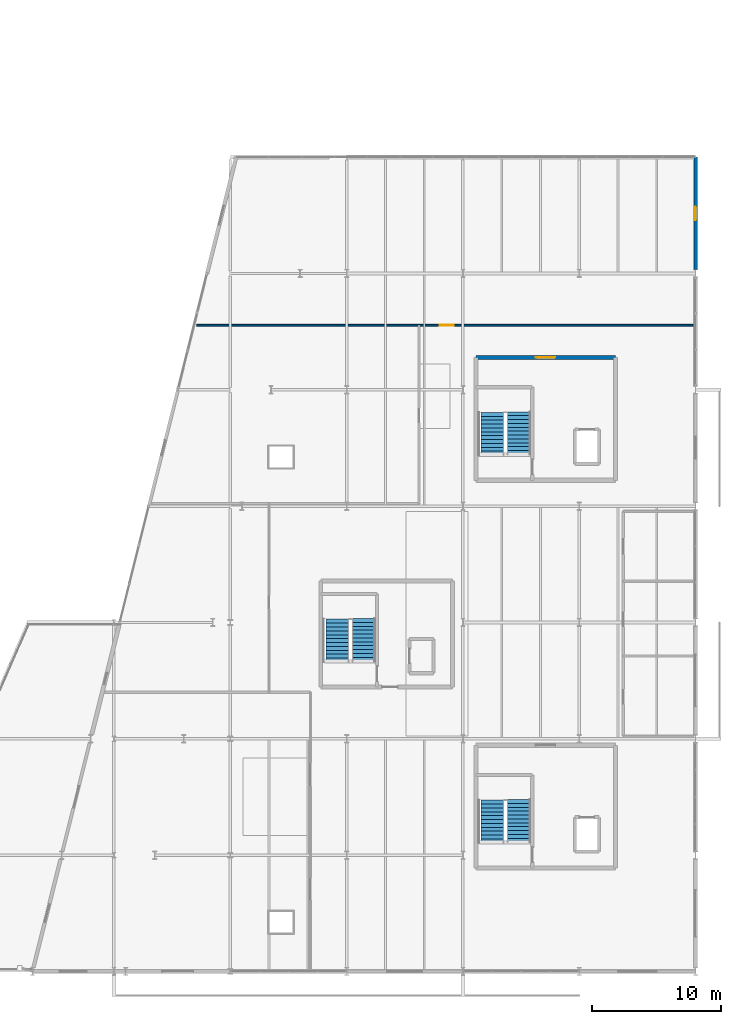
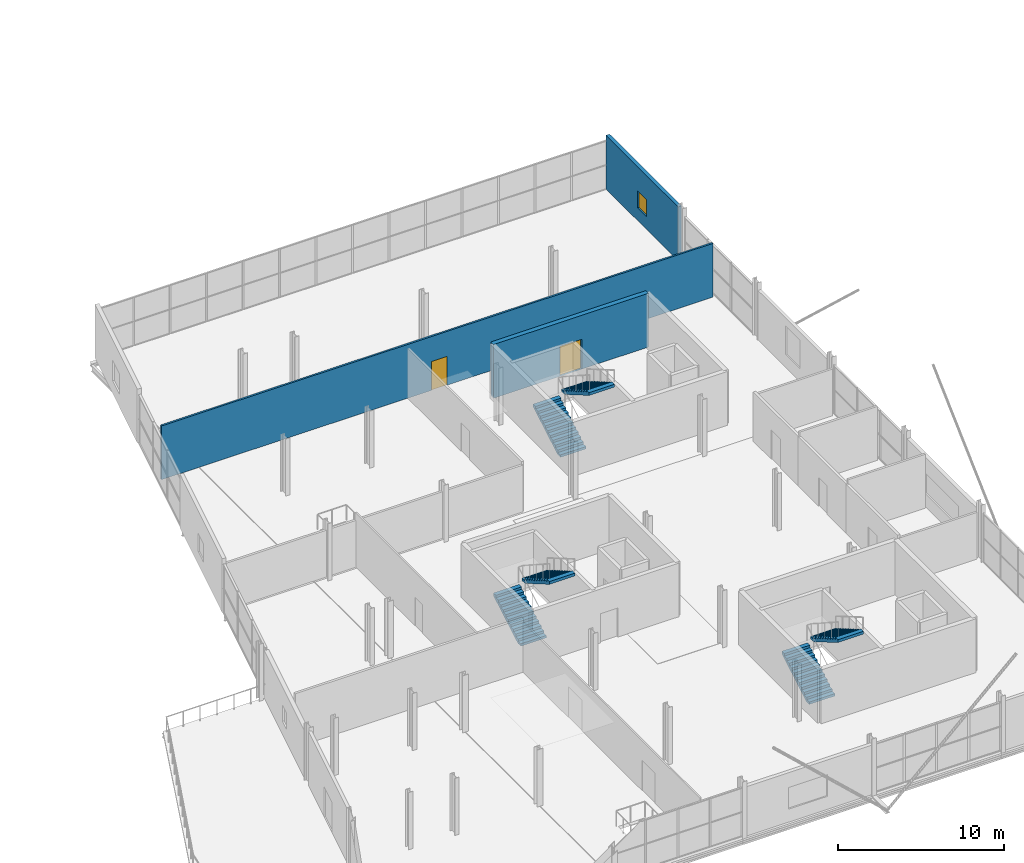
# One storey, part 57 of 59: 6 stair flights, 3 walls, 2 doors, 1 window, 3 openings, 3 elements without a shape of their own.
"""IFC4 building model written with IfcOpenShell, lengths in metres."""

from ifc_helpers import new_model, si_unit, direction, frame, frame_2d, origin, place, context, subcontext, project, spatial, polyline, rectangle, outline, extrude, material, layer, layer_set, type_object, element, fill, aggregate, save


model = new_model("IFC4")

# Units and contexts
model_context = context("Model", 3, precision=1e-05, world=origin(), true_north=direction((0.0, 1.0)))
body_context = subcontext(model_context, "Body", "Model", "MODEL_VIEW")
ifc_project = project(units=[si_unit("LENGTHUNIT", "METRE"), si_unit("AREAUNIT", "SQUARE_METRE"), si_unit("VOLUMEUNIT", "CUBIC_METRE"), si_unit("PLANEANGLEUNIT", "RADIAN"), si_unit("MASSUNIT", "GRAM", prefix="KILO")], contexts=[model_context])

# Site, building, storey
site_placement = place(None, origin())
site = spatial("IfcSite", under=ifc_project, at=site_placement, CompositionType="ELEMENT")
building_placement = place(site_placement, origin())
building = spatial("IfcBuilding", under=site, at=building_placement, Name="Deido Ridge Mobility Hub", CompositionType="ELEMENT")
storey_placement = place(building_placement, frame((0.0, 0.0, 21.0)))
storey = spatial("IfcBuildingStorey", under=building, at=storey_placement, Name="L05", CompositionType="ELEMENT", Elevation=21.0)

# Wall, opening, window
ifc_material_1 = material(Name="Concrete blockwork masonry", Category="masonry")
ifc_layer_1 = layer(ifc_material_1, 0.2548828125, Name="Concrete blockwork masonry")
ifc_layer_set_1 = layer_set([ifc_layer_1], Name="Concrete blockwork masonry")
wall_type_1 = type_object("IfcWallType", Name="WL-PLG-BLK-255", PredefinedType="POLYGONAL", material=ifc_layer_set_1)
wall_1_placement = place(storey_placement, frame((180.0, 54.300048828125, 0.0), z_axis=(0.0, 0.0, 1.0), x_axis=(0.0, 1.0, 0.0)))
wall_1 = element("IfcWall", 1, at=wall_1_placement, inside=storey, type_object=wall_type_1, Name="Exterior wall PGW2", PredefinedType="POLYGONAL", context=body_context, shape_type="SweptSolid", body=[
    extrude(rectangle(XDim=8.699951171875, YDim=0.2548828125, at=frame_2d((4.35009765625, 0.0))), origin(), (0.0, 0.0, 1.0), 3.9599609375),
])
opening_1_placement = place(wall_1_placement, frame((3.824951171875, 0.0, 0.949951171875)))
opening_1 = element("IfcOpeningElement", 2, at=opening_1_placement, cuts=wall_1, Name="Opening W2", PredefinedType="OPENING", context=body_context, shape_type="SweptSolid", body=[
    extrude(rectangle(XDim=1.050048828125, YDim=1.25, at=frame_2d((0.52490234375, 0.625))), frame((0.0, 0.137451171875, 0.0), z_axis=(0.0, -1.0, 0.0), x_axis=(1.0, 0.0, 0.0)), (0.0, 0.0, 1.0), 0.27490234375),
])
ifc_material_2 = material(Name="Laminated solar-control low-E glass", Category="glass")
window_type = type_object("IfcWindowType", Name="WN-ALU-1050X1250", PartitioningType="SINGLE_PANEL", PredefinedType="WINDOW", material=ifc_material_2)
window_placement = place(opening_1_placement, origin())
window = element("IfcWindow", 3, at=window_placement, inside=storey, type_object=window_type, Name="Exterior window W2", OverallHeight=1.25, OverallWidth=1.050048828125, PartitioningType="SINGLE_PANEL", PredefinedType="WINDOW", context=body_context, shape_type="SweptSolid", body=[
    extrude(rectangle(XDim=1.050048828125, YDim=1.25, at=frame_2d((0.52490234375, 0.625))), frame((0.0, 0.030029296875, 0.0), z_axis=(0.0, -1.0, 0.0), x_axis=(1.0, 0.0, 0.0)), (0.0, 0.0, 1.0), 0.06005859375),
])
fill(opening_1, window)

# Wall, opening, door
ifc_layer_2 = layer(ifc_material_1, 0.1298828125, Name="Concrete blockwork masonry")
ifc_layer_set_2 = layer_set([ifc_layer_2], Name="Concrete blockwork masonry")
wall_type_2 = type_object("IfcWallType", Name="WL-PRT-BLK-130", PredefinedType="PARTITIONING", material=ifc_layer_set_2)
wall_2_placement = place(storey_placement, frame((141.39990234375, 50.0, 0.0), z_axis=(0.0, 0.0, 1.0), x_axis=(1.0, 0.0, 0.0)))
wall_2 = element("IfcWall", 4, at=wall_2_placement, inside=storey, type_object=wall_type_2, Name="V6 north hall divider (L05)", PredefinedType="PARTITIONING", context=body_context, shape_type="SweptSolid", body=[
    extrude(rectangle(XDim=38.400146484375, YDim=0.1298828125, at=frame_2d((19.2001953125, 0.0))), origin(), (0.0, 0.0, 1.0), 3.9599609375),
])
opening_2_placement = place(wall_2_placement, frame((18.800048828125, 0.0, 0.0)))
opening_2 = element("IfcOpeningElement", 5, at=opening_2_placement, cuts=wall_2, Name="Opening DR-L05-188", PredefinedType="OPENING", context=body_context, shape_type="SweptSolid", body=[
    extrude(rectangle(XDim=1.080078125, YDim=2.1201171875, at=frame_2d((0.5400390625, 1.06005859375))), frame((0.0, 0.074951171875, 0.0), z_axis=(0.0, -1.0, 0.0), x_axis=(1.0, 0.0, 0.0)), (0.0, 0.0, 1.0), 0.14990234375),
])
ifc_material_3 = material(Name="Treated tropical hardwood timber D40", Category="wood")
door_type_1 = type_object("IfcDoorType", Name="DR-INT-1080X2120", OperationType="NOTDEFINED", PredefinedType="DOOR", material=ifc_material_3)
door_1_placement = place(opening_2_placement, origin())
door_1 = element("IfcDoor", 6, at=door_1_placement, inside=storey, type_object=door_type_1, Name="DR-I0188 V6 north hall door (L05)", OperationType="SINGLE_SWING_RIGHT", OverallHeight=2.1201171875, OverallWidth=1.080078125, PredefinedType="DOOR", context=body_context, shape_type="SweptSolid", body=[
    extrude(rectangle(XDim=1.080078125, YDim=2.1201171875, at=frame_2d((0.5400390625, 1.06005859375))), frame((0.0, 0.02490234375, 0.0), z_axis=(0.0, -1.0, 0.0), x_axis=(1.0, 0.0, 0.0)), (0.0, 0.0, 1.0), 0.050048828125),
])
fill(opening_2, door_1)

ifc_material_4 = material(Name="Concrete C40/50", Category="concrete")
ifc_layer_3 = layer(ifc_material_4, 0.324951171875, Name="Concrete C40/50")
ifc_layer_set_3 = layer_set([ifc_layer_3], Name="Concrete C40/50")
wall_type_3 = type_object("IfcWallType", Name="WL-SHR-RC-325", PredefinedType="SHEAR", material=ifc_layer_set_3)
wall_3_placement = place(storey_placement, frame((173.800048828125, 47.5, 0.0), z_axis=(0.0, 0.0, 1.0), x_axis=(-1.0, 0.0, 0.0)))
wall_3 = element("IfcWall", 7, at=wall_3_placement, inside=storey, type_object=wall_type_3, Name="C2 north shear wall", PredefinedType="SHEAR", context=body_context, shape_type="SweptSolid", body=[
    extrude(rectangle(XDim=10.800048828125, YDim=0.324951171875, at=frame_2d((5.39990234375, 0.0))), origin(), (0.0, 0.0, 1.0), 3.9599609375),
])
opening_3_placement = place(wall_3_placement, frame((4.64990234375, 0.0, 0.0)))
opening_3 = element("IfcOpeningElement", 8, at=opening_3_placement, cuts=wall_3, Name="Opening LD-C2-044", PredefinedType="OPENING", context=body_context, shape_type="SweptSolid", body=[
    extrude(rectangle(XDim=1.5, YDim=2.199951171875, at=frame_2d((0.75, 1.10009765625))), frame((0.0, 0.17236328125, 0.0), z_axis=(0.0, -1.0, 0.0), x_axis=(1.0, 0.0, 0.0)), (0.0, 0.0, 1.0), 0.344970703125),
])
ifc_material_5 = material(Name="Galvanised steel work", Category="steel")
door_type_2 = type_object("IfcDoorType", Name="DR-FD60-1500X2200", OperationType="DOUBLE_DOOR_SINGLE_SWING", PredefinedType="DOOR", material=ifc_material_5)
door_2_placement = place(opening_3_placement, origin())
door_2 = element("IfcDoor", 9, at=door_2_placement, inside=storey, type_object=door_type_2, Name="DR-I0044 C2 firefighting lobby door (L05)", OperationType="DOUBLE_DOOR_SINGLE_SWING", OverallHeight=2.199951171875, OverallWidth=1.5, PredefinedType="DOOR", context=body_context, shape_type="SweptSolid", body=[
    extrude(rectangle(XDim=1.5, YDim=2.199951171875, at=frame_2d((0.75, 1.10009765625))), frame((0.0, 0.02490234375, 0.0), z_axis=(0.0, -1.0, 0.0), x_axis=(1.0, 0.0, 0.0)), (0.0, 0.0, 1.0), 0.050048828125),
])
fill(opening_3, door_2)

# Stair, stair flights
ifc_material_6 = material(Name="Concrete C35/45", Category="concrete")
stair_type = type_object("IfcStairType", Name="ST-CORE-HALF-1520", PredefinedType="HALF_TURN_STAIR", material=ifc_material_6)
stair_1_placement = place(storey_placement, origin())
stair_1 = element("IfcStair", 10, at=stair_1_placement, inside=storey, type_object=stair_type, Name="Protected exit stair ST2 (L05)", PredefinedType="HALF_TURN_STAIR")
stair_flight_type_1 = type_object("IfcStairFlightType", Name="SFL-RC-1520", PredefinedType="STRAIGHT", material=ifc_material_6)
stair_flight_1_placement = place(storey_placement, frame((164.2900390625, 39.949951171875, 0.0), z_axis=(0.0, 0.0, 1.0), x_axis=(0.0, 1.0, 0.0)))
stair_flight_1 = element("IfcStairFlight", 11, at=stair_flight_1_placement, type_object=stair_flight_type_1, Name="ST2 flight 1", NumberOfRisers=12, NumberOfTreads=11, PredefinedType="STRAIGHT", RiserHeight=0.175, TreadLength=0.3, context=body_context, shape_type="SweptSolid", body=[
    extrude(outline(polyline([(0.0, 0.0), (0.0, 0.175048828125), (0.300048828125, 0.175048828125), (0.300048828125, 0.35009765625), (0.60009765625, 0.35009765625), (0.60009765625, 0.52490234375), (0.89990234375, 0.52490234375), (0.89990234375, 0.699951171875), (1.199951171875, 0.699951171875), (1.199951171875, 0.875), (1.5, 0.875), (1.5, 1.050048828125), (1.800048828125, 1.050048828125), (1.800048828125, 1.22509765625), (2.10009765625, 1.22509765625), (2.10009765625, 1.39990234375), (2.39990234375, 1.39990234375), (2.39990234375, 1.574951171875), (2.699951171875, 1.574951171875), (2.699951171875, 1.75), (3.0, 1.75), (3.0, 1.925048828125), (3.300048828125, 1.925048828125), (3.300048828125, 2.10009765625), (3.300048828125, 1.716796875), (0.357177734375, 0.0), (0.0, 0.0)])), frame((0.0, 0.89013671875, 0.0), z_axis=(0.0, -1.0, 0.0), x_axis=(1.0, 0.0, 0.0)), (0.0, 0.0, 1.0), 1.780029296875),
])
stair_flight_2_placement = place(storey_placement, frame((166.31005859375, 43.300048828125, 2.10009765625), z_axis=(0.0, 0.0, 1.0), x_axis=(0.0, -1.0, 0.0)))
stair_flight_2 = element("IfcStairFlight", 12, at=stair_flight_2_placement, type_object=stair_flight_type_1, Name="ST2 flight 2", NumberOfRisers=12, NumberOfTreads=11, PredefinedType="STRAIGHT", RiserHeight=0.175, TreadLength=0.3, context=body_context, shape_type="SweptSolid", body=[
    extrude(outline(polyline([(0.0, 0.0), (0.0, 0.175048828125), (0.300048828125, 0.175048828125), (0.300048828125, 0.35009765625), (0.60009765625, 0.35009765625), (0.60009765625, 0.52490234375), (0.89990234375, 0.52490234375), (0.89990234375, 0.699951171875), (1.199951171875, 0.699951171875), (1.199951171875, 0.875), (1.5, 0.875), (1.5, 1.050048828125), (1.800048828125, 1.050048828125), (1.800048828125, 1.22509765625), (2.10009765625, 1.22509765625), (2.10009765625, 1.39990234375), (2.39990234375, 1.39990234375), (2.39990234375, 1.574951171875), (2.699951171875, 1.574951171875), (2.699951171875, 1.75), (3.0, 1.75), (3.0, 1.925048828125), (3.300048828125, 1.925048828125), (3.300048828125, 2.10009765625), (3.300048828125, 1.716796875), (0.357177734375, 0.0), (0.0, 0.0)])), frame((0.0, 0.89013671875, 0.0), z_axis=(0.0, -1.0, 0.0), x_axis=(1.0, 0.0, 0.0)), (0.0, 0.0, 1.0), 1.780029296875),
])
aggregate(stair_1, [stair_flight_1, stair_flight_2])

stair_2_placement = place(storey_placement, origin())
stair_2 = element("IfcStair", 13, at=stair_2_placement, inside=storey, type_object=stair_type, Name="Protected exit stair ST3 (L05)", PredefinedType="HALF_TURN_STAIR")
stair_flight_3_placement = place(storey_placement, frame((152.2900390625, 23.949951171875, 0.0), z_axis=(0.0, 0.0, 1.0), x_axis=(0.0, 1.0, 0.0)))
stair_flight_3 = element("IfcStairFlight", 14, at=stair_flight_3_placement, type_object=stair_flight_type_1, Name="ST3 flight 1", NumberOfRisers=12, NumberOfTreads=11, PredefinedType="STRAIGHT", RiserHeight=0.175, TreadLength=0.3, context=body_context, shape_type="SweptSolid", body=[
    extrude(outline(polyline([(0.0, 0.0), (0.0, 0.175048828125), (0.300048828125, 0.175048828125), (0.300048828125, 0.35009765625), (0.60009765625, 0.35009765625), (0.60009765625, 0.52490234375), (0.89990234375, 0.52490234375), (0.89990234375, 0.699951171875), (1.199951171875, 0.699951171875), (1.199951171875, 0.875), (1.5, 0.875), (1.5, 1.050048828125), (1.800048828125, 1.050048828125), (1.800048828125, 1.22509765625), (2.10009765625, 1.22509765625), (2.10009765625, 1.39990234375), (2.39990234375, 1.39990234375), (2.39990234375, 1.574951171875), (2.699951171875, 1.574951171875), (2.699951171875, 1.75), (3.0, 1.75), (3.0, 1.925048828125), (3.300048828125, 1.925048828125), (3.300048828125, 2.10009765625), (3.300048828125, 1.716796875), (0.357177734375, 0.0), (0.0, 0.0)])), frame((0.0, 0.89013671875, 0.0), z_axis=(0.0, -1.0, 0.0), x_axis=(1.0, 0.0, 0.0)), (0.0, 0.0, 1.0), 1.780029296875),
])
stair_flight_4_placement = place(storey_placement, frame((154.31005859375, 27.300048828125, 2.10009765625), z_axis=(0.0, 0.0, 1.0), x_axis=(0.0, -1.0, 0.0)))
stair_flight_4 = element("IfcStairFlight", 15, at=stair_flight_4_placement, type_object=stair_flight_type_1, Name="ST3 flight 2", NumberOfRisers=12, NumberOfTreads=11, PredefinedType="STRAIGHT", RiserHeight=0.175, TreadLength=0.3, context=body_context, shape_type="SweptSolid", body=[
    extrude(outline(polyline([(0.0, 0.0), (0.0, 0.175048828125), (0.300048828125, 0.175048828125), (0.300048828125, 0.35009765625), (0.60009765625, 0.35009765625), (0.60009765625, 0.52490234375), (0.89990234375, 0.52490234375), (0.89990234375, 0.699951171875), (1.199951171875, 0.699951171875), (1.199951171875, 0.875), (1.5, 0.875), (1.5, 1.050048828125), (1.800048828125, 1.050048828125), (1.800048828125, 1.22509765625), (2.10009765625, 1.22509765625), (2.10009765625, 1.39990234375), (2.39990234375, 1.39990234375), (2.39990234375, 1.574951171875), (2.699951171875, 1.574951171875), (2.699951171875, 1.75), (3.0, 1.75), (3.0, 1.925048828125), (3.300048828125, 1.925048828125), (3.300048828125, 2.10009765625), (3.300048828125, 1.716796875), (0.357177734375, 0.0), (0.0, 0.0)])), frame((0.0, 0.89013671875, 0.0), z_axis=(0.0, -1.0, 0.0), x_axis=(1.0, 0.0, 0.0)), (0.0, 0.0, 1.0), 1.780029296875),
])
aggregate(stair_2, [stair_flight_3, stair_flight_4])

stair_3_placement = place(storey_placement, origin())
stair_3 = element("IfcStair", 16, at=stair_3_placement, inside=storey, type_object=stair_type, Name="Protected exit stair ST1 (L05)", PredefinedType="HALF_TURN_STAIR")
stair_flight_type_2 = type_object("IfcStairFlightType", Name="SFL-RC-1560", PredefinedType="STRAIGHT", material=ifc_material_6)
stair_flight_5_placement = place(storey_placement, frame((164.2900390625, 9.949951171875, 0.0), z_axis=(0.0, 0.0, 1.0), x_axis=(0.0, 1.0, 0.0)))
stair_flight_5 = element("IfcStairFlight", 17, at=stair_flight_5_placement, type_object=stair_flight_type_2, Name="ST1 flight 1", NumberOfRisers=12, NumberOfTreads=11, PredefinedType="STRAIGHT", RiserHeight=0.175, TreadLength=0.3, context=body_context, shape_type="SweptSolid", body=[
    extrude(outline(polyline([(0.0, 0.0), (0.0, 0.175048828125), (0.300048828125, 0.175048828125), (0.300048828125, 0.35009765625), (0.60009765625, 0.35009765625), (0.60009765625, 0.52490234375), (0.89990234375, 0.52490234375), (0.89990234375, 0.699951171875), (1.199951171875, 0.699951171875), (1.199951171875, 0.875), (1.5, 0.875), (1.5, 1.050048828125), (1.800048828125, 1.050048828125), (1.800048828125, 1.22509765625), (2.10009765625, 1.22509765625), (2.10009765625, 1.39990234375), (2.39990234375, 1.39990234375), (2.39990234375, 1.574951171875), (2.699951171875, 1.574951171875), (2.699951171875, 1.75), (3.0, 1.75), (3.0, 1.925048828125), (3.300048828125, 1.925048828125), (3.300048828125, 2.10009765625), (3.300048828125, 1.716796875), (0.357177734375, 0.0), (0.0, 0.0)])), frame((0.0, 0.89013671875, 0.0), z_axis=(0.0, -1.0, 0.0), x_axis=(1.0, 0.0, 0.0)), (0.0, 0.0, 1.0), 1.780029296875),
])
stair_flight_6_placement = place(storey_placement, frame((166.31005859375, 13.300048828125, 2.10009765625), z_axis=(0.0, 0.0, 1.0), x_axis=(0.0, -1.0, 0.0)))
stair_flight_6 = element("IfcStairFlight", 18, at=stair_flight_6_placement, type_object=stair_flight_type_2, Name="ST1 flight 2", NumberOfRisers=12, NumberOfTreads=11, PredefinedType="STRAIGHT", RiserHeight=0.175, TreadLength=0.3, context=body_context, shape_type="SweptSolid", body=[
    extrude(outline(polyline([(0.0, 0.0), (0.0, 0.175048828125), (0.300048828125, 0.175048828125), (0.300048828125, 0.35009765625), (0.60009765625, 0.35009765625), (0.60009765625, 0.52490234375), (0.89990234375, 0.52490234375), (0.89990234375, 0.699951171875), (1.199951171875, 0.699951171875), (1.199951171875, 0.875), (1.5, 0.875), (1.5, 1.050048828125), (1.800048828125, 1.050048828125), (1.800048828125, 1.22509765625), (2.10009765625, 1.22509765625), (2.10009765625, 1.39990234375), (2.39990234375, 1.39990234375), (2.39990234375, 1.574951171875), (2.699951171875, 1.574951171875), (2.699951171875, 1.75), (3.0, 1.75), (3.0, 1.925048828125), (3.300048828125, 1.925048828125), (3.300048828125, 2.10009765625), (3.300048828125, 1.716796875), (0.357177734375, 0.0), (0.0, 0.0)])), frame((0.0, 0.89013671875, 0.0), z_axis=(0.0, -1.0, 0.0), x_axis=(1.0, 0.0, 0.0)), (0.0, 0.0, 1.0), 1.780029296875),
])
aggregate(stair_3, [stair_flight_5, stair_flight_6])

save(model, "model.ifc")
